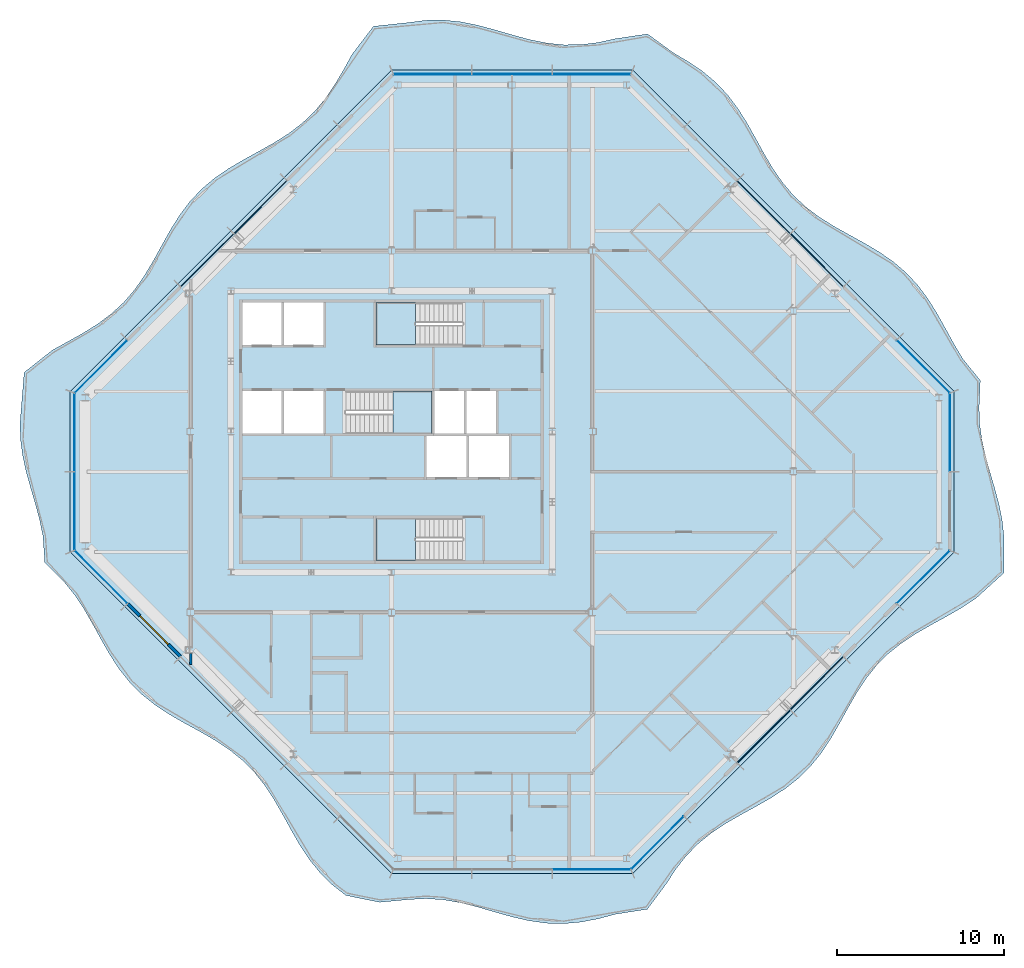
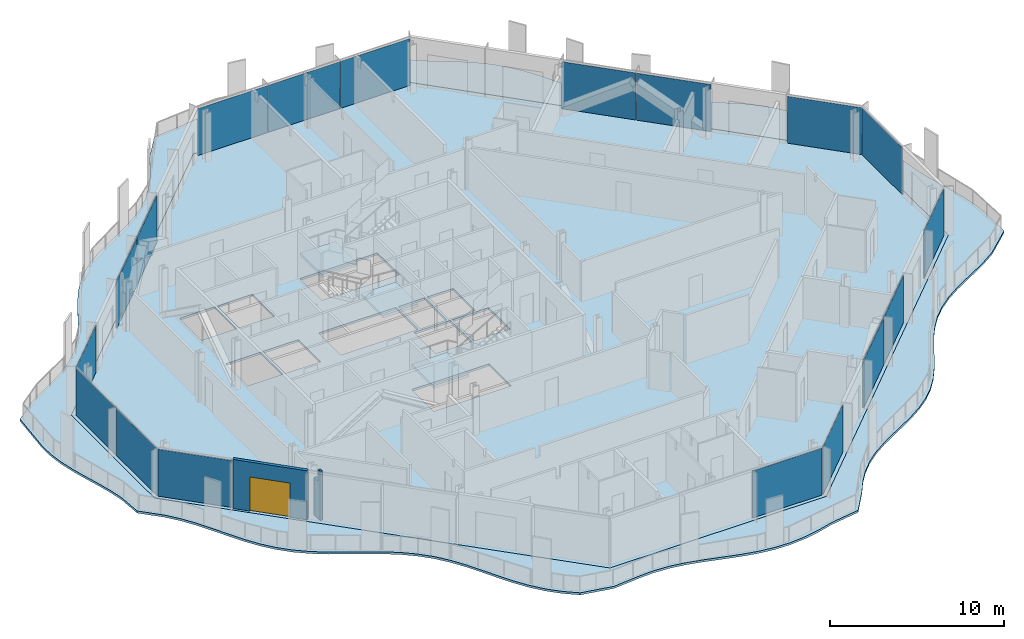
# One storey, part 6 of 17: 18 plates, 5 slabs, 2 walls, 1 door, 1 opening, 11 elements without a shape of their own.
"""IFC4 building model written with IfcOpenShell, lengths in metres."""

from ifc_helpers import new_model, si_unit, direction, frame, frame_2d, origin, origin_2d, place, context, subcontext, project, spatial, polyline, rectangle, outline, extrude, material, layer, layer_set, type_object, element, fill, aggregate, save


model = new_model("IFC4")

# Units and contexts
model_context = context("Model", 3, precision=1e-05, world=origin(), true_north=direction((0.0, 1.0)))
body_context = subcontext(model_context, "Body", "Model", "MODEL_VIEW")
ifc_project = project(units=[si_unit("LENGTHUNIT", "METRE"), si_unit("AREAUNIT", "SQUARE_METRE"), si_unit("VOLUMEUNIT", "CUBIC_METRE"), si_unit("PLANEANGLEUNIT", "RADIAN"), si_unit("MASSUNIT", "GRAM", prefix="KILO")], contexts=[model_context])

# Site, building, storey
site_placement = place(None, origin())
site = spatial("IfcSite", under=ifc_project, at=site_placement, CompositionType="ELEMENT")
building_placement = place(site_placement, origin())
building = spatial("IfcBuilding", under=site, at=building_placement, Name="Cairn Pilgrim Tower", CompositionType="ELEMENT")
storey_placement = place(building_placement, frame((0.0, 0.0, 270.60009765625)))
storey = spatial("IfcBuildingStorey", under=building, at=storey_placement, Name="L69", CompositionType="ELEMENT", Elevation=270.60009765625)

# Slabs
ifc_material_1 = material(Name="Concrete C35/45", Category="concrete")
ifc_layer_1 = layer(ifc_material_1, 0.14990234375)
ifc_layer_set_1 = layer_set([ifc_layer_1], Name="BALCONY SLAB 150 CONCRETE C35/45")
slab_type_1 = type_object("IfcSlabType", Name="BALCONY SLAB 150 CONCRETE C35/45", PredefinedType="FLOOR", material=ifc_layer_set_1)
slab_1_placement = place(storey_placement, frame((0.0, 0.0, -0.150146484375)))
element("IfcSlab", 1, at=slab_1_placement, inside=storey, type_object=slab_type_1, Name="Balcony slab BS-1", PredefinedType="FLOOR", context=body_context, shape_type="SweptSolid", body=[
    extrude(outline(polyline([(4.469482421875, -25.30810546875), (6.48779296875, -25.7197265625), (8.228515625, -25.553955078125), (9.257080078125, -25.500244140625), (10.28564453125, -25.567138671875), (11.314208984375, -25.743896484375), (12.3427734375, -26.002197265625), (13.371337890625, -26.300537109375), (14.39990234375, -26.590576171875), (15.428466796875, -26.82568359375), (16.45703125, -26.96826171875), (17.485595703125, -26.995361328125), (18.514404296875, -26.90234375), (19.54296875, -26.704345703125), (20.571533203125, -26.433349609375), (22.4833984375, -26.132568359375), (23.6240234375, -24.601806640625), (24.182861328125, -23.73828125), (24.807861328125, -22.941162109375), (25.512451171875, -22.223388671875), (26.29736328125, -21.58642578125), (27.151611328125, -21.018310546875), (28.052978515625, -20.49755859375), (28.97216796875, -19.994384765625), (29.877197265625, -19.47705078125), (30.738037109375, -18.915771484375), (31.53173828125, -18.287353515625), (32.24560546875, -17.5791015625), (32.87939453125, -16.79052734375), (33.44482421875, -15.93359375), (33.964111328125, -15.03076171875), (34.46728515625, -14.111572265625), (34.98583984375, -13.2080078125), (35.5498046875, -12.349853515625), (36.181640625, -11.559326171875), (36.8935546875, -10.84912109375), (37.685546875, -10.218994140625), (38.545166015625, -9.65625), (39.44921875, -9.13818359375), (40.368408203125, -8.635009765625), (41.2705078125, -8.114990234375), (42.126220703125, -7.54833984375), (43.78857421875, -6.037841796875), (43.784912109375, -3.840087890625), (43.677978515625, -2.8798828125), (43.48291015625, -1.919921875), (43.22705078125, -0.9599609375), (42.9462890625, 0.0), (42.68017578125, 0.9599609375), (42.466064453125, 1.919921875), (42.333740234375, 2.8798828125), (42.30224609375, 3.840087890625), (42.37548828125, 5.45263671875), (41.328857421875, 6.751220703125), (40.7978515625, 7.642333984375), (40.29296875, 8.5595703125), (39.78271484375, 9.4716796875), (39.236083984375, 10.34716796875), (38.6279296875, 11.1611328125), (37.942138671875, 11.8974609375), (37.1748046875, 12.552490234375), (36.334716796875, 13.134765625), (35.44189453125, 13.6640625), (34.52392578125, 14.16845703125), (33.613037109375, 14.6796875), (32.73974609375, 15.228515625), (31.928955078125, 15.840087890625), (31.1962890625, 16.529541015625), (30.544921875, 17.300537109375), (29.965576171875, 18.143310546875), (29.43798828125, 19.0380859375), (28.93408203125, 19.956298828125), (28.421630859375, 20.8662109375), (27.870361328125, 21.737060546875), (27.255615234375, 22.544677734375), (26.5625, 23.273681640625), (25.7880859375, 23.92138671875), (24.9423828125, 24.498046875), (24.046142578125, 25.02392578125), (22.494873046875, 26.16015625), (20.571533203125, 25.874755859375), (19.54296875, 25.649658203125), (18.514404296875, 25.521240234375), (17.485595703125, 25.51025390625), (16.45703125, 25.6181640625), (15.428466796875, 25.827880859375), (14.39990234375, 26.10546875), (13.371337890625, 26.40625), (12.3427734375, 26.681884765625), (11.314208984375, 26.88818359375), (10.28564453125, 26.99169921875), (9.257080078125, 26.975830078125), (8.228515625, 26.843017578125), (6.116943359375, 26.614990234375), (4.837890625, 24.93994140625), (4.334228515625, 24.021484375), (3.8076171875, 23.125732421875), (3.230224609375, 22.281005859375), (2.580810546875, 21.508056640625), (1.850341796875, 20.816162109375), (1.041748046875, 20.20263671875), (0.169921875, 19.65234375), (-0.740478515625, 19.140380859375), (-1.658447265625, 18.63623046875), (-2.552490234375, 18.108154296875), (-3.394287109375, 17.527587890625), (-4.163818359375, 16.875), (-4.851806640625, 16.140869140625), (-5.462158203125, 15.328857421875), (-6.01025390625, 14.45458984375), (-6.52099609375, 13.543212890625), (-7.025634765625, 12.62548828125), (-7.5556640625, 11.7333984375), (-8.138916015625, 10.89453125), (-8.795166015625, 10.128662109375), (-9.532958984375, 9.444091796875), (-10.34814453125, 8.837158203125), (-11.224609375, 8.291259765625), (-12.136962890625, 7.781494140625), (-13.05419921875, 7.2763671875), (-14.75, 5.939208984375), (-14.920654296875, 3.840087890625), (-14.9970703125, 2.8798828125), (-14.96875, 1.919921875), (-14.839111328125, 0.9599609375), (-14.626953125, 0.0), (-14.36181640625, -0.9599609375), (-14.0810546875, -1.919921875), (-13.823974609375, -2.8798828125), (-13.626708984375, -3.840087890625), (-13.516845703125, -5.42822265625), (-12.3583984375, -6.58056640625), (-11.724365234375, -7.368896484375), (-11.158935546875, -8.2255859375), (-10.63916015625, -9.128173828125), (-10.13623046875, -10.04736328125), (-9.61767578125, -10.950927734375), (-9.053955078125, -11.8095703125), (-8.42236328125, -12.60009765625), (-7.710693359375, -13.310791015625), (-6.9189453125, -13.941162109375), (-6.059814453125, -14.504150390625), (-5.15576171875, -15.022216796875), (-4.236572265625, -15.525390625), (-3.334228515625, -16.04541015625), (-2.478271484375, -16.61181640625), (-1.691162109375, -17.246826171875), (-0.984375, -17.962158203125), (-0.357177734375, -18.757080078125), (0.203125, -19.619140625), (0.719970703125, -20.5244140625), (1.22314453125, -21.443603515625), (1.74462890625, -22.34423828125), (2.3134765625, -23.197509765625), (2.9521484375, -23.981201171875), (3.671142578125, -24.684326171875), (4.469482421875, -25.30810546875)]), holes=[polyline([(21.60009765625, -24.0), (7.199951171875, -24.0), (-12.0, -4.800048828125), (-12.0, 4.800048828125), (7.199951171875, 24.0), (21.60009765625, 24.0), (40.800048828125, 4.800048828125), (40.800048828125, -4.800048828125), (21.60009765625, -24.0)])]), origin(), (0.0, 0.0, 1.0), 0.150146484375),
])
ifc_layer_2 = layer(ifc_material_1, 0.14990234375)
ifc_layer_set_2 = layer_set([ifc_layer_2], Name="COMPOSITE FLOOR SLAB 150")
slab_type_2 = type_object("IfcSlabType", Name="COMPOSITE FLOOR SLAB 150", PredefinedType="FLOOR", material=ifc_layer_set_2)
slab_2_placement = place(storey_placement, frame((0.0, 0.0, -0.150146484375)))
element("IfcSlab", 2, at=slab_2_placement, inside=storey, type_object=slab_type_2, Name="FLOOR SLAB L69", PredefinedType="FLOOR", context=body_context, shape_type="SweptSolid", body=[
    extrude(outline(polyline([(7.199951171875, -24.0), (21.60009765625, -24.0), (40.800048828125, -4.800048828125), (40.800048828125, 4.800048828125), (21.60009765625, 24.0), (7.199951171875, 24.0), (-12.0, 4.800048828125), (-12.0, -4.800048828125), (7.199951171875, -24.0)]), holes=[polyline([(9.27490234375, -0.324951171875), (11.675048828125, -0.324951171875), (11.675048828125, 2.125), (9.27490234375, 2.125), (9.27490234375, -0.324951171875)]), polyline([(11.824951171875, -0.324951171875), (14.22509765625, -0.324951171875), (14.22509765625, 2.125), (11.824951171875, 2.125), (11.824951171875, -0.324951171875)]), polyline([(-1.72509765625, 2.27490234375), (0.625, 2.27490234375), (0.625, 4.824951171875), (-1.72509765625, 4.824951171875), (-1.72509765625, 2.27490234375)]), polyline([(0.77490234375, 2.27490234375), (3.125, 2.27490234375), (3.125, 4.824951171875), (0.77490234375, 4.824951171875), (0.77490234375, 2.27490234375)]), polyline([(-1.72509765625, 7.574951171875), (0.625, 7.574951171875), (0.625, 10.10009765625), (-1.72509765625, 10.10009765625), (-1.72509765625, 7.574951171875)]), polyline([(0.77490234375, 7.574951171875), (3.125, 7.574951171875), (3.125, 10.10009765625), (0.77490234375, 10.10009765625), (0.77490234375, 7.574951171875)]), polyline([(9.77490234375, 2.27490234375), (11.52490234375, 2.27490234375), (11.52490234375, 4.824951171875), (9.77490234375, 4.824951171875), (9.77490234375, 2.27490234375)]), polyline([(11.675048828125, 2.27490234375), (13.425048828125, 2.27490234375), (13.425048828125, 4.824951171875), (11.675048828125, 4.824951171875), (11.675048828125, 2.27490234375)]), polyline([(11.424560546875, -2.77490234375), (6.27490234375, -2.77490234375), (6.27490234375, -5.300048828125), (11.424560546875, -5.300048828125), (11.424560546875, -2.77490234375)]), polyline([(4.4755859375, 2.27490234375), (9.625, 2.27490234375), (9.625, 4.824951171875), (4.4755859375, 4.824951171875), (4.4755859375, 2.27490234375)]), polyline([(11.424560546875, 10.10009765625), (6.27490234375, 10.10009765625), (6.27490234375, 7.574951171875), (11.424560546875, 7.574951171875), (11.424560546875, 10.10009765625)])]), origin(), (0.0, 0.0, 1.0), 0.150146484375),
])

# Curtain wall, plates
ifc_material_2 = material(Name="Aluminium alloy 6063-T6 bronze anodised with Bronze tinted laminated low-E glass 8+16+8.8", Category="aluminium")
curtain_wall_type = type_object("IfcCurtainWallType", Name="CROWN CURTAIN WALL", PredefinedType="NOTDEFINED", material=ifc_material_2)
curtain_wall_1_placement = place(storey_placement, origin())
curtain_wall_1 = element("IfcCurtainWall", 3, at=curtain_wall_1_placement, inside=storey, type_object=curtain_wall_type, Name="Crown Curtain Wall SE", PredefinedType="NOTDEFINED")
ifc_material_3 = material(Name="Bronze anodised aluminium spandrel panel with mineral wool insulation", Category="aluminium")
ifc_layer_3 = layer(ifc_material_3, 0.06005859375)
ifc_layer_set_3 = layer_set([ifc_layer_3], Name="SPANDREL PANEL 4431x3300")
plate_type_1 = type_object("IfcPlateType", Name="SPANDREL PANEL 4431x3300", PredefinedType="CURTAIN_PANEL", material=ifc_layer_set_3)
plate_1_placement = place(storey_placement, frame((29.435546875, -15.81103515625, 0.0), z_axis=(0.0, 0.0, 1.0), x_axis=(0.707106781187, 0.707106781187, 0.0)))
plate_1 = element("IfcPlate", 4, at=plate_1_placement, type_object=plate_type_1, Name="Spandrel Panel SE3-1", PredefinedType="CURTAIN_PANEL", context=body_context, shape_type="SweptSolid", body=[
    extrude(rectangle(XDim=4.430908203125, YDim=0.06005859375, at=origin_2d()), origin(), (0.0, 0.0, 1.0), 3.300048828125),
])
plate_2_placement = place(storey_placement, frame((32.611083984375, -12.635498046875, 0.0), z_axis=(0.0, 0.0, 1.0), x_axis=(0.707106781187, 0.707106781187, 0.0)))
plate_2 = element("IfcPlate", 5, at=plate_2_placement, type_object=plate_type_1, Name="Spandrel Panel SE4-1", PredefinedType="CURTAIN_PANEL", context=body_context, shape_type="SweptSolid", body=[
    extrude(rectangle(XDim=4.430908203125, YDim=0.06005859375, at=origin_2d()), origin(), (0.0, 0.0, 1.0), 3.300048828125),
])

curtain_wall_2_placement = place(storey_placement, origin())
curtain_wall_2 = element("IfcCurtainWall", 6, at=curtain_wall_2_placement, inside=storey, type_object=curtain_wall_type, Name="Crown Curtain Wall NE", PredefinedType="NOTDEFINED")
plate_3_placement = place(storey_placement, frame((32.611083984375, 12.635498046875, 0.0), z_axis=(0.0, 0.0, 1.0), x_axis=(-0.707106781187, 0.707106781187, 0.0)))
plate_3 = element("IfcPlate", 7, at=plate_3_placement, type_object=plate_type_1, Name="Spandrel Panel NE3-1", PredefinedType="CURTAIN_PANEL", context=body_context, shape_type="SweptSolid", body=[
    extrude(rectangle(XDim=4.430908203125, YDim=0.06005859375, at=origin_2d()), origin(), (0.0, 0.0, 1.0), 3.300048828125),
])
plate_4_placement = place(storey_placement, frame((29.435546875, 15.81103515625, 0.0), z_axis=(0.0, 0.0, 1.0), x_axis=(-0.707106781187, 0.707106781187, 0.0)))
plate_4 = element("IfcPlate", 8, at=plate_4_placement, type_object=plate_type_1, Name="Spandrel Panel NE4-1", PredefinedType="CURTAIN_PANEL", context=body_context, shape_type="SweptSolid", body=[
    extrude(rectangle(XDim=4.430908203125, YDim=0.06005859375, at=origin_2d()), origin(), (0.0, 0.0, 1.0), 3.300048828125),
])

curtain_wall_3_placement = place(storey_placement, origin())
curtain_wall_3 = element("IfcCurtainWall", 9, at=curtain_wall_3_placement, inside=storey, type_object=curtain_wall_type, Name="Crown Curtain Wall NW", PredefinedType="NOTDEFINED")
plate_5_placement = place(storey_placement, frame((-0.635498046875, 15.81103515625, 0.0), z_axis=(0.0, 0.0, 1.0), x_axis=(-0.707106781187, -0.707106781187, 0.0)))
plate_5 = element("IfcPlate", 10, at=plate_5_placement, type_object=plate_type_1, Name="Spandrel Panel NW3-1", PredefinedType="CURTAIN_PANEL", context=body_context, shape_type="SweptSolid", body=[
    extrude(rectangle(XDim=4.430908203125, YDim=0.06005859375, at=origin_2d()), origin(), (0.0, 0.0, 1.0), 3.300048828125),
])
plate_6_placement = place(storey_placement, frame((-3.81103515625, 12.635498046875, 0.0), z_axis=(0.0, 0.0, 1.0), x_axis=(-0.707106781187, -0.707106781187, 0.0)))
plate_6 = element("IfcPlate", 11, at=plate_6_placement, type_object=plate_type_1, Name="Spandrel Panel NW4-1", PredefinedType="CURTAIN_PANEL", context=body_context, shape_type="SweptSolid", body=[
    extrude(rectangle(XDim=4.430908203125, YDim=0.06005859375, at=origin_2d()), origin(), (0.0, 0.0, 1.0), 3.300048828125),
])

# Stair, slab
ifc_material_4 = material(Name="Concrete C32/40", Category="concrete")
stair_type = type_object("IfcStairType", Name="EXIT STAIR 1200", PredefinedType="HALF_TURN_STAIR", material=ifc_material_4)
stair_1_placement = place(storey_placement, origin())
stair_1 = element("IfcStair", 12, at=stair_1_placement, inside=storey, type_object=stair_type, Name="L69 Exit Stair A", PredefinedType="HALF_TURN_STAIR")
ifc_layer_4 = layer(ifc_material_4, 0.199951171875)
ifc_layer_set_4 = layer_set([ifc_layer_4], Name="STAIR LANDING 200")
slab_type_3 = type_object("IfcSlabType", Name="STAIR LANDING 200", PredefinedType="LANDING", material=ifc_layer_set_4)
slab_3_placement = place(storey_placement, frame((0.0, 0.0, 1.599853515625)))
slab_3 = element("IfcSlab", 13, at=slab_3_placement, type_object=slab_type_3, Name="ST-A landing 1", PredefinedType="LANDING", context=body_context, shape_type="SweptSolid", body=[
    extrude(outline(polyline([(8.625, -2.77490234375), (6.27490234375, -2.77490234375), (6.27490234375, -5.300048828125), (8.625, -5.300048828125), (8.625, -2.77490234375)])), origin(), (0.0, 0.0, 1.0), 0.199951171875),
])
aggregate(stair_1, [slab_3])

stair_2_placement = place(storey_placement, origin())
stair_2 = element("IfcStair", 14, at=stair_2_placement, inside=storey, type_object=stair_type, Name="L69 Exit Stair B", PredefinedType="HALF_TURN_STAIR")
slab_4_placement = place(storey_placement, frame((0.0, 0.0, 1.599853515625)))
slab_4 = element("IfcSlab", 15, at=slab_4_placement, type_object=slab_type_3, Name="ST-B landing 1", PredefinedType="LANDING", context=body_context, shape_type="SweptSolid", body=[
    extrude(outline(polyline([(7.27490234375, 2.27490234375), (9.625, 2.27490234375), (9.625, 4.824951171875), (7.27490234375, 4.824951171875), (7.27490234375, 2.27490234375)])), origin(), (0.0, 0.0, 1.0), 0.199951171875),
])
aggregate(stair_2, [slab_4])

stair_3_placement = place(storey_placement, origin())
stair_3 = element("IfcStair", 16, at=stair_3_placement, inside=storey, type_object=stair_type, Name="L69 Exit Stair C", PredefinedType="HALF_TURN_STAIR")
slab_5_placement = place(storey_placement, frame((0.0, 0.0, 1.599853515625)))
slab_5 = element("IfcSlab", 17, at=slab_5_placement, type_object=slab_type_3, Name="ST-C landing 1", PredefinedType="LANDING", context=body_context, shape_type="SweptSolid", body=[
    extrude(outline(polyline([(8.625, 10.10009765625), (6.27490234375, 10.10009765625), (6.27490234375, 7.574951171875), (8.625, 7.574951171875), (8.625, 10.10009765625)])), origin(), (0.0, 0.0, 1.0), 0.199951171875),
])
aggregate(stair_3, [slab_5])

# Plate
ifc_material_5 = material(Name="Bronze tinted laminated low-E glass 8+16+8.8", Category="glass")
ifc_layer_5 = layer(ifc_material_5, 0.033935546875)
ifc_layer_set_5 = layer_set([ifc_layer_5], Name="VISION GLAZING 4421x3300")
plate_type_2 = type_object("IfcPlateType", Name="VISION GLAZING 4421x3300", PredefinedType="CURTAIN_PANEL", material=ifc_layer_set_5)
plate_7_placement = place(storey_placement, frame((23.087890625, -22.15869140625, 0.0), z_axis=(0.0, 0.0, 1.0), x_axis=(0.707106781187, 0.707106781187, 0.0)))
plate_7 = element("IfcPlate", 18, at=plate_7_placement, type_object=plate_type_2, Name="Vision Glazing SE1-1", PredefinedType="CURTAIN_PANEL", context=body_context, shape_type="SweptSolid", body=[
    extrude(rectangle(XDim=4.4208984375, YDim=0.033935546875, at=origin_2d()), origin(), (0.0, 0.0, 1.0), 3.300048828125),
])

plate_8_placement = place(storey_placement, frame((38.958740234375, -6.287841796875, 0.0), z_axis=(0.0, 0.0, 1.0), x_axis=(0.707106781187, 0.707106781187, 0.0)))
plate_8 = element("IfcPlate", 19, at=plate_8_placement, type_object=plate_type_2, Name="Vision Glazing SE6-1", PredefinedType="CURTAIN_PANEL", context=body_context, shape_type="SweptSolid", body=[
    extrude(rectangle(XDim=4.4208984375, YDim=0.033935546875, at=origin_2d()), origin(), (0.0, 0.0, 1.0), 3.300048828125),
])

aggregate(curtain_wall_1, [plate_7, plate_1, plate_2, plate_8])

plate_9_placement = place(storey_placement, frame((38.958740234375, 6.287841796875, 0.0), z_axis=(0.0, 0.0, 1.0), x_axis=(-0.707106781187, 0.707106781187, 0.0)))
plate_9 = element("IfcPlate", 20, at=plate_9_placement, type_object=plate_type_2, Name="Vision Glazing NE1-1", PredefinedType="CURTAIN_PANEL", context=body_context, shape_type="SweptSolid", body=[
    extrude(rectangle(XDim=4.4208984375, YDim=0.033935546875, at=origin_2d()), origin(), (0.0, 0.0, 1.0), 3.300048828125),
])

aggregate(curtain_wall_2, [plate_9, plate_3, plate_4])

plate_10_placement = place(storey_placement, frame((-10.15869140625, 6.287841796875, 0.0), z_axis=(0.0, 0.0, 1.0), x_axis=(-0.707106781187, -0.707106781187, 0.0)))
plate_10 = element("IfcPlate", 21, at=plate_10_placement, type_object=plate_type_2, Name="Vision Glazing NW6-1", PredefinedType="CURTAIN_PANEL", context=body_context, shape_type="SweptSolid", body=[
    extrude(rectangle(XDim=4.4208984375, YDim=0.033935546875, at=origin_2d()), origin(), (0.0, 0.0, 1.0), 3.300048828125),
])

aggregate(curtain_wall_3, [plate_5, plate_6, plate_10])

# Curtain wall, plate
curtain_wall_4_placement = place(storey_placement, origin())
curtain_wall_4 = element("IfcCurtainWall", 22, at=curtain_wall_4_placement, inside=storey, type_object=curtain_wall_type, Name="Crown Curtain Wall SW", PredefinedType="NOTDEFINED")
plate_11_placement = place(storey_placement, frame((-10.15869140625, -6.287841796875, 0.0), z_axis=(0.0, 0.0, 1.0), x_axis=(0.707106781187, -0.707106781187, 0.0)))
plate_11 = element("IfcPlate", 23, at=plate_11_placement, type_object=plate_type_2, Name="Vision Glazing SW1-1", PredefinedType="CURTAIN_PANEL", context=body_context, shape_type="SweptSolid", body=[
    extrude(rectangle(XDim=4.4208984375, YDim=0.033935546875, at=origin_2d()), origin(), (0.0, 0.0, 1.0), 3.300048828125),
])
aggregate(curtain_wall_4, [plate_11])

curtain_wall_5_placement = place(storey_placement, origin())
curtain_wall_5 = element("IfcCurtainWall", 24, at=curtain_wall_5_placement, inside=storey, type_object=curtain_wall_type, Name="Crown Curtain Wall S", PredefinedType="NOTDEFINED")
ifc_layer_6 = layer(ifc_material_5, 0.033935546875)
ifc_layer_set_6 = layer_set([ifc_layer_6], Name="VISION GLAZING 4626x3300")
plate_type_3 = type_object("IfcPlateType", Name="VISION GLAZING 4626x3300", PredefinedType="CURTAIN_PANEL", material=ifc_layer_set_6)
plate_12_placement = place(storey_placement, frame((19.143310546875, -23.75, 0.0), z_axis=(0.0, 0.0, 1.0), x_axis=(1.0, 0.0, 0.0)))
plate_12 = element("IfcPlate", 25, at=plate_12_placement, type_object=plate_type_3, Name="Vision Glazing S3-1", PredefinedType="CURTAIN_PANEL", context=body_context, shape_type="SweptSolid", body=[
    extrude(rectangle(XDim=4.62646484375, YDim=0.033935546875, at=origin_2d()), origin(), (0.0, 0.0, 1.0), 3.300048828125),
])
aggregate(curtain_wall_5, [plate_12])

curtain_wall_6_placement = place(storey_placement, origin())
curtain_wall_6 = element("IfcCurtainWall", 26, at=curtain_wall_6_placement, inside=storey, type_object=curtain_wall_type, Name="Crown Curtain Wall E", PredefinedType="NOTDEFINED")
plate_13_placement = place(storey_placement, frame((40.550048828125, 2.34326171875, 0.0), z_axis=(0.0, 0.0, 1.0), x_axis=(0.0, 1.0, 0.0)))
plate_13 = element("IfcPlate", 27, at=plate_13_placement, type_object=plate_type_3, Name="Vision Glazing E2-1", PredefinedType="CURTAIN_PANEL", context=body_context, shape_type="SweptSolid", body=[
    extrude(rectangle(XDim=4.62646484375, YDim=0.033935546875, at=origin_2d()), origin(), (0.0, 0.0, 1.0), 3.300048828125),
])
aggregate(curtain_wall_6, [plate_13])

# Curtain wall, plates
curtain_wall_7_placement = place(storey_placement, origin())
curtain_wall_7 = element("IfcCurtainWall", 28, at=curtain_wall_7_placement, inside=storey, type_object=curtain_wall_type, Name="Crown Curtain Wall N", PredefinedType="NOTDEFINED")
plate_14_placement = place(storey_placement, frame((19.143310546875, 23.75, 0.0), z_axis=(0.0, 0.0, 1.0), x_axis=(-1.0, 0.0, 0.0)))
plate_14 = element("IfcPlate", 29, at=plate_14_placement, type_object=plate_type_3, Name="Vision Glazing N1-1", PredefinedType="CURTAIN_PANEL", context=body_context, shape_type="SweptSolid", body=[
    extrude(rectangle(XDim=4.62646484375, YDim=0.033935546875, at=origin_2d()), origin(), (0.0, 0.0, 1.0), 3.300048828125),
])
plate_15_placement = place(storey_placement, frame((9.65673828125, 23.75, 0.0), z_axis=(0.0, 0.0, 1.0), x_axis=(-1.0, 0.0, 0.0)))
plate_15 = element("IfcPlate", 30, at=plate_15_placement, type_object=plate_type_3, Name="Vision Glazing N3-1", PredefinedType="CURTAIN_PANEL", context=body_context, shape_type="SweptSolid", body=[
    extrude(rectangle(XDim=4.62646484375, YDim=0.033935546875, at=origin_2d()), origin(), (0.0, 0.0, 1.0), 3.300048828125),
])

curtain_wall_8_placement = place(storey_placement, origin())
curtain_wall_8 = element("IfcCurtainWall", 31, at=curtain_wall_8_placement, inside=storey, type_object=curtain_wall_type, Name="Crown Curtain Wall W", PredefinedType="NOTDEFINED")
plate_16_placement = place(storey_placement, frame((-11.75, 2.34326171875, 0.0), z_axis=(0.0, 0.0, 1.0), x_axis=(0.0, -1.0, 0.0)))
plate_16 = element("IfcPlate", 32, at=plate_16_placement, type_object=plate_type_3, Name="Vision Glazing W1-1", PredefinedType="CURTAIN_PANEL", context=body_context, shape_type="SweptSolid", body=[
    extrude(rectangle(XDim=4.62646484375, YDim=0.033935546875, at=origin_2d()), origin(), (0.0, 0.0, 1.0), 3.300048828125),
])
plate_17_placement = place(storey_placement, frame((-11.75, -2.34326171875, 0.0), z_axis=(0.0, 0.0, 1.0), x_axis=(0.0, -1.0, 0.0)))
plate_17 = element("IfcPlate", 33, at=plate_17_placement, type_object=plate_type_3, Name="Vision Glazing W2-1", PredefinedType="CURTAIN_PANEL", context=body_context, shape_type="SweptSolid", body=[
    extrude(rectangle(XDim=4.62646484375, YDim=0.033935546875, at=origin_2d()), origin(), (0.0, 0.0, 1.0), 3.300048828125),
])
aggregate(curtain_wall_8, [plate_16, plate_17])

# Plate
ifc_layer_7 = layer(ifc_material_5, 0.033935546875)
ifc_layer_set_7 = layer_set([ifc_layer_7], Name="VISION GLAZING 4740x3300")
plate_type_4 = type_object("IfcPlateType", Name="VISION GLAZING 4740x3300", PredefinedType="CURTAIN_PANEL", material=ifc_layer_set_7)
plate_18_placement = place(storey_placement, frame((14.39990234375, 23.75, 0.0), z_axis=(0.0, 0.0, 1.0), x_axis=(-1.0, 0.0, 0.0)))
plate_18 = element("IfcPlate", 34, at=plate_18_placement, type_object=plate_type_4, Name="Vision Glazing N2-1", PredefinedType="CURTAIN_PANEL", context=body_context, shape_type="SweptSolid", body=[
    extrude(rectangle(XDim=4.739990234375, YDim=0.033935546875, at=origin_2d()), origin(), (0.0, 0.0, 1.0), 3.300048828125),
])

aggregate(curtain_wall_7, [plate_14, plate_18, plate_15])

# Wall, opening, door
ifc_material_6 = material(Name="Bronze anodised aluminium insulated sandwich panel with mineral wool fill", Category="aluminium")
ifc_layer_8 = layer(ifc_material_6, 0.199951171875)
ifc_layer_set_8 = layer_set([ifc_layer_8], Name="BRONZE INFILL FRAME WALL 200")
wall_type_1 = type_object("IfcWallType", Name="BRONZE INFILL FRAME WALL 200", PredefinedType="NOTDEFINED", material=ifc_layer_set_8)
wall_1_placement = place(storey_placement, frame((-8.55322265625, -7.893310546875, 0.0), z_axis=(0.0, 0.0, 1.0), x_axis=(0.707134329907, -0.707079231393, 0.0)))
wall_1 = element("IfcWall", 35, at=wall_1_placement, inside=storey, type_object=wall_type_1, Name="Bronze infill frame wall IW-SW2", PredefinedType="NOTDEFINED", context=body_context, shape_type="SweptSolid", body=[
    extrude(rectangle(XDim=4.430908203125, YDim=0.199951171875, at=frame_2d((2.21533203125, 0.0))), origin(), (0.0, 0.0, 1.0), 3.449951171875),
])
opening_placement = place(wall_1_placement, frame((1.015380859375, 0.0, 0.0)))
opening = element("IfcOpeningElement", 36, at=opening_placement, cuts=wall_1, Name="Opening 6909B2", PredefinedType="OPENING", context=body_context, shape_type="SweptSolid", body=[
    extrude(rectangle(XDim=2.39990234375, YDim=2.39990234375, at=frame_2d((1.199951171875, 1.199951171875))), frame((0.0, 0.10986328125, 0.0), z_axis=(0.0, -1.0, 0.0), x_axis=(1.0, 0.0, 0.0)), (0.0, 0.0, 1.0), 0.219970703125),
])
ifc_material_7 = material(Name="Bronze anodised aluminium frame with tinted low-E glass", Category="aluminium")
door_type = type_object("IfcDoorType", Name="BALCONY SLIDING DOOR 2400x2400", OperationType="DOUBLE_DOOR_SLIDING", PredefinedType="DOOR", material=ifc_material_7)
door_placement = place(opening_placement, origin())
door = element("IfcDoor", 37, at=door_placement, inside=storey, type_object=door_type, Name="Balcony sliding door 6909B2", OperationType="SINGLE_SWING_LEFT", OverallHeight=2.39990234375, OverallWidth=2.39990234375, PredefinedType="DOOR", context=body_context, shape_type="SweptSolid", body=[
    extrude(rectangle(XDim=2.39990234375, YDim=2.39990234375, at=frame_2d((1.199951171875, 1.199951171875))), frame((0.0, 0.02490234375, 0.0), z_axis=(0.0, -1.0, 0.0), x_axis=(1.0, 0.0, 0.0)), (0.0, 0.0, 1.0), 0.050048828125),
])
fill(opening, door)

# Wall
ifc_material_8 = material(Name="Gypsum partition")
ifc_layer_9 = layer(ifc_material_8, 0.14990234375)
ifc_layer_set_9 = layer_set([ifc_layer_9], Name="PARTITION 150 DRYWALL EI 60")
wall_type_2 = type_object("IfcWallType", Name="PARTITION 150 DRYWALL EI 60", PredefinedType="PARTITIONING", material=ifc_layer_set_9)
wall_2_placement = place(storey_placement, frame((-4.800048828125, -11.526123046875, 0.0), z_axis=(0.0, 0.0, 1.0), x_axis=(0.0, 1.0, 0.0)))
element("IfcWall", 38, at=wall_2_placement, inside=storey, type_object=wall_type_2, Name="PARTITION W026", PredefinedType="PARTITIONING", context=body_context, shape_type="SweptSolid", body=[
    extrude(outline(polyline([(0.0, 0.0), (0.67822265625, 0.0), (0.677978515625, 2.6298828125), (0.22900390625, 2.6298828125), (0.226806640625, 3.449951171875), (0.0, 3.449951171875), (0.0, 0.0)])), frame((0.0, 0.074951171875, 0.0), z_axis=(0.0, -1.0, 0.0), x_axis=(1.0, 0.0, 0.0)), (0.0, 0.0, 1.0), 0.14990234375),
])

save(model, "model.ifc")
